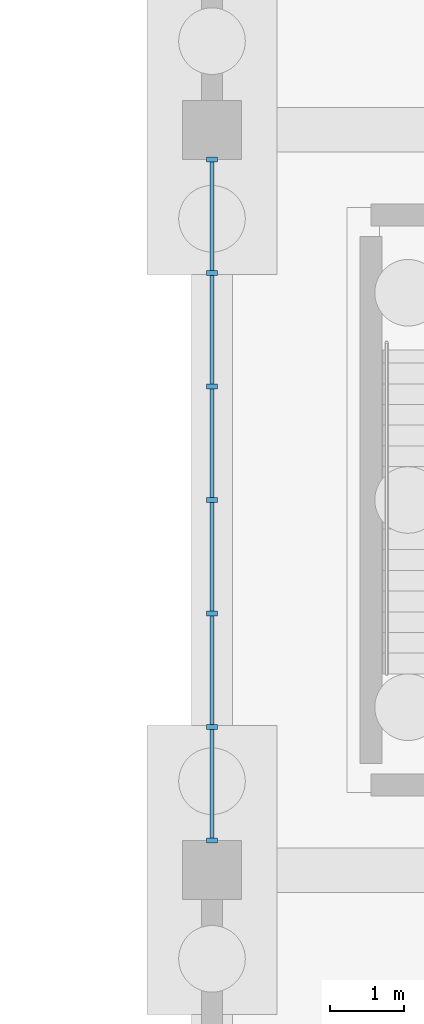
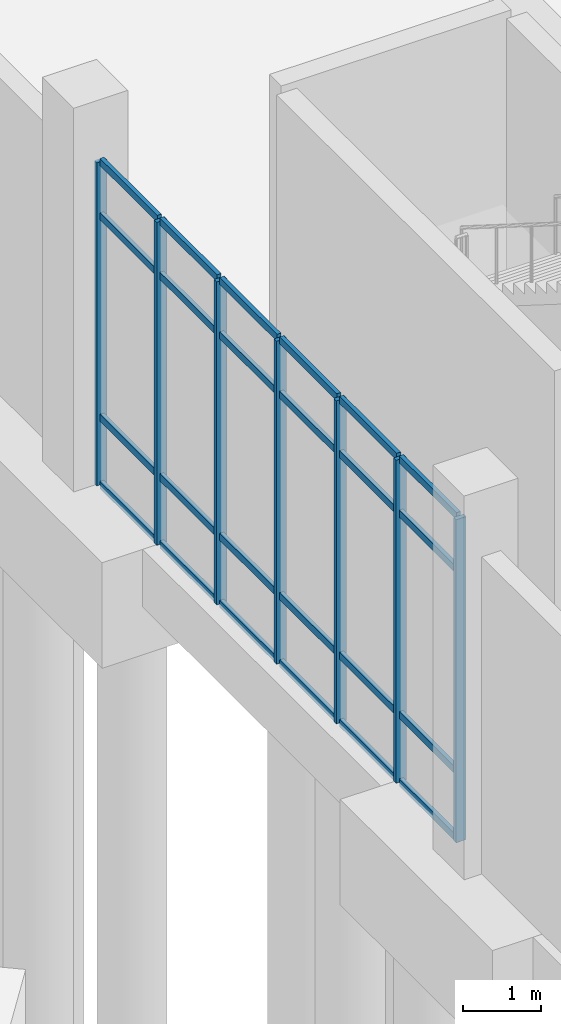
# One storey, part 51 of 140: 31 members, 1 element without a shape of its own.
"""IFC4 building model written with IfcOpenShell, lengths in metres."""

import ifcopenshell
import ifcopenshell.guid

model = None  # the IFC model being written
_history = None  # IfcOwnerHistory: only IFC2X3 demands one
_inside = {}  # id of a spatial element -> (the spatial element, [elements in it])
_under = {}  # id of a project, library or spatial element -> (it, [spatial elements below it])
_declared = {}  # id of a project -> (the project, [libraries it declares])
_typed = {}  # id of a type object -> (the type object, [elements of that type])
_made_of = {}  # id of a material, layer set ... -> (it, [elements and type objects made of it])


def new_model(schema):
    """Start an empty IFC model of exactly this schema.

    Asked for "IFC4X3", IfcOpenShell would pick the latest addendum, in which some entities
    have other attributes; the version numbers below select the first issue.
    IFC2X3 requires an IfcOwnerHistory on every rooted entity: one is made here for all.
    """
    global model, _history
    if schema == "IFC4X3":
        model = ifcopenshell.file(schema_version=(4, 3, 0, 0))
    else:
        model = ifcopenshell.file(schema=schema)
    _inside.clear()
    _under.clear()
    _declared.clear()
    _typed.clear()
    _made_of.clear()
    _history = None
    if model.schema == "IFC2X3":
        org = make("IfcOrganization", Name="unknown")
        user = make(
            "IfcPersonAndOrganization",
            ThePerson=make("IfcPerson", FamilyName="unknown"),
            TheOrganization=org,
        )
        app = make(
            "IfcApplication",
            ApplicationDeveloper=org,
            Version="unknown",
            ApplicationFullName="unknown",
            ApplicationIdentifier="unknown",
        )
        _history = make(
            "IfcOwnerHistory",
            OwningUser=user,
            OwningApplication=app,
            ChangeAction="ADDED",
            CreationDate=0,
        )
    return model


def make(cls, **values):
    """One entity of the class cls with the attributes given. An attribute that is None is left unset."""
    return model.create_entity(
        cls, **{name: value for name, value in values.items() if value is not None}
    )


def rooted(cls, **values):
    """An entity with a GlobalId (a new one), such as an element, a storey or a relation."""
    return make(cls, GlobalId=ifcopenshell.guid.new(), OwnerHistory=_history, **values)


def si_unit(unit_type, name, prefix=None):
    """IfcSIUnit, for example si_unit("LENGTHUNIT", "METRE", prefix="MILLI")."""
    return make("IfcSIUnit", UnitType=unit_type, Prefix=prefix, Name=name)


def assignment(units):
    """IfcUnitAssignment: the units of a project."""
    return None if units is None else make("IfcUnitAssignment", Units=units)


def point(xyz):
    """IfcCartesianPoint."""
    return None if xyz is None else make("IfcCartesianPoint", Coordinates=xyz)


def direction(xyz):
    """IfcDirection."""
    return None if xyz is None else make("IfcDirection", DirectionRatios=xyz)


def frame(location, z_axis=None, x_axis=None):
    """IfcAxis2Placement3D, a coordinate frame: its origin and axes. An axis left out is left unset."""
    return make(
        "IfcAxis2Placement3D",
        Location=point(location),
        Axis=direction(z_axis),
        RefDirection=direction(x_axis),
    )


def frame_2d(location, x_axis=None):
    """IfcAxis2Placement2D, a coordinate frame in the plane: its origin and x axis."""
    return make(
        "IfcAxis2Placement2D", Location=point(location), RefDirection=direction(x_axis)
    )


def origin():
    """The frame at (0, 0, 0) with its axes left unset."""
    return frame((0.0, 0.0, 0.0))


def origin_2d():
    """The frame at (0, 0) in the plane with its x axis left unset."""
    return frame_2d((0.0, 0.0))


def place(relative_to, where):
    """IfcLocalPlacement: puts the frame where relative to a parent placement (None: the world)."""
    return make(
        "IfcLocalPlacement", PlacementRelTo=relative_to, RelativePlacement=where
    )


def context(
    kind, dimensions, precision=None, world=None, true_north=None, identifier=None
):
    """IfcGeometricRepresentationContext, for example the 3D "Model" context."""
    return make(
        "IfcGeometricRepresentationContext",
        ContextIdentifier=identifier,
        ContextType=kind,
        CoordinateSpaceDimension=dimensions,
        Precision=precision,
        WorldCoordinateSystem=world,
        TrueNorth=true_north,
    )


def subcontext(parent, identifier, kind, view, scale=None):
    """IfcGeometricRepresentationSubContext, for example "Body" below "Model"."""
    return make(
        "IfcGeometricRepresentationSubContext",
        ContextIdentifier=identifier,
        ContextType=kind,
        ParentContext=parent,
        TargetScale=scale,
        TargetView=view,
    )


def project(units=None, contexts=None):
    """IfcProject with its units and contexts."""
    return rooted(
        "IfcProject",
        Name="project",
        RepresentationContexts=contexts,
        UnitsInContext=assignment(units),
    )


def spatial(cls, under=None, at=None, **own):
    """A site, building, storey or space (cls), placed at a placement, below another one or the project."""
    s = rooted(cls, ObjectPlacement=at, **own)
    if under is not None:
        _under.setdefault(under.id(), (under, []))[1].append(s)
    return s


def profile(cls, at=None, kind="AREA", **sizes):
    """A parametric profile (cls). Its sizes go by their IFC names, for example OverallWidth=200.0."""
    return make(cls, ProfileType=kind, Position=at, **sizes)


def rectangle(**sizes):
    """IfcRectangleProfileDef."""
    return profile("IfcRectangleProfileDef", **sizes)


def extrude(swept, where, along, depth):
    """IfcExtrudedAreaSolid: the profile swept, set in the frame where, extruded along a direction by depth."""
    return make(
        "IfcExtrudedAreaSolid",
        SweptArea=swept,
        Position=where,
        ExtrudedDirection=direction(along),
        Depth=depth,
    )


def shape(context_of_items, identifier, shape_type, items):
    """IfcShapeRepresentation: the items that make up one representation, for example the "Body"."""
    return make(
        "IfcShapeRepresentation",
        ContextOfItems=context_of_items,
        RepresentationIdentifier=identifier,
        RepresentationType=shape_type,
        Items=items,
    )


def material(Name=None, Category=None):
    """IfcMaterial."""
    return make("IfcMaterial", Name=Name, Category=Category)


def layer(
    of_material, thickness, ventilated=None, Name=None, Category=None, Priority=None
):
    """IfcMaterialLayer: one layer of a wall or slab, of a material (None: an air gap)."""
    return make(
        "IfcMaterialLayer",
        Material=of_material,
        LayerThickness=thickness,
        IsVentilated=ventilated,
        Name=Name,
        Category=Category,
        Priority=Priority,
    )


def layer_set(layers, Name=None):
    """IfcMaterialLayerSet."""
    return make("IfcMaterialLayerSet", MaterialLayers=layers, LayerSetName=Name)


def material_profile(
    of_material, cross_section, Name=None, Category=None, Priority=None
):
    """IfcMaterialProfile: a cross section and its material."""
    return make(
        "IfcMaterialProfile",
        Name=Name,
        Material=of_material,
        Profile=cross_section,
        Priority=Priority,
        Category=Category,
    )


def profile_set(profiles, Name=None, composite=None):
    """IfcMaterialProfileSet."""
    return make(
        "IfcMaterialProfileSet",
        Name=Name,
        MaterialProfiles=profiles,
        CompositeProfile=composite,
    )


def made_of(thing, what):
    """Note that an element or type object is made of a material, layer set ...; save() writes the relation."""
    if what is not None:
        _made_of.setdefault(what.id(), (what, []))[1].append(thing)
    return thing


def type_object(cls, material=None, **own):
    """A type object (cls), such as IfcWallType, which elements share."""
    return made_of(rooted(cls, **own), material)


def element(
    cls,
    number,
    at=None,
    inside=None,
    cuts=None,
    type_object=None,
    material=None,
    context=None,
    identifier="Body",
    shape_type=None,
    held_by="IfcProductDefinitionShape",
    body=None,
    shapes=None,
    **own,
):
    """One element of the class cls, such as IfcWall. Its Tag is "e" and its number.

    at: its placement. inside: the storey or other place that contains it. cuts: it is an
    opening in that element (IfcRelVoidsElement). A single representation is given by context,
    identifier, shape_type and body (its items); several are given by shapes. held_by: the class
    of the entity that holds the representations. save() writes the other relations.
    """
    e = rooted(cls, Tag="e%d" % number, ObjectPlacement=at, **own)
    if body is not None:
        shapes = [shape(context, identifier, shape_type, body)]
    if shapes is not None:
        e.Representation = make(held_by, Representations=shapes)
    if inside is not None:
        _inside.setdefault(inside.id(), (inside, []))[1].append(e)
    if cuts is not None:
        rooted(
            "IfcRelVoidsElement", RelatingBuildingElement=cuts, RelatedOpeningElement=e
        )
    if type_object is not None:
        _typed.setdefault(type_object.id(), (type_object, []))[1].append(e)
    return made_of(e, material)


def aggregate(whole, parts):
    """IfcRelAggregates: a whole, such as a stair, and the parts it consists of."""
    return rooted("IfcRelAggregates", RelatingObject=whole, RelatedObjects=parts)


def save(model, path):
    """Write the relations noted so far, then the file.

    IfcRelAggregates (storeys below a building ...), IfcRelContainedInSpatialStructure (elements
    in a storey), IfcRelDefinesByType, IfcRelAssociatesMaterial and IfcRelDeclares: one each for
    every whole, place, type object, material and project.
    """
    for whole, parts in _under.values():
        aggregate(whole, parts)
    for where, things in _inside.values():
        rooted(
            "IfcRelContainedInSpatialStructure",
            RelatedElements=things,
            RelatingStructure=where,
        )
    for kind, things in _typed.values():
        rooted("IfcRelDefinesByType", RelatedObjects=things, RelatingType=kind)
    for what, things in _made_of.values():
        rooted("IfcRelAssociatesMaterial", RelatedObjects=things, RelatingMaterial=what)
    for by, libraries in _declared.values():
        rooted("IfcRelDeclares", RelatingContext=by, RelatedDefinitions=libraries)
    model.write(path)


model = new_model("IFC4")

# Units and contexts
model_context = context("Model", 3, precision=1e-05, world=origin(), true_north=direction((0.0, 1.0)))
body_context = subcontext(model_context, "Body", "Model", "MODEL_VIEW")
ifc_project = project(units=[si_unit("LENGTHUNIT", "METRE"), si_unit("AREAUNIT", "SQUARE_METRE"), si_unit("VOLUMEUNIT", "CUBIC_METRE"), si_unit("PLANEANGLEUNIT", "RADIAN"), si_unit("MASSUNIT", "GRAM", prefix="KILO")], contexts=[model_context])

# Site, building, storey
site_placement = place(None, origin())
site = spatial("IfcSite", under=ifc_project, at=site_placement, CompositionType="ELEMENT")
building_placement = place(site_placement, origin())
building = spatial("IfcBuilding", under=site, at=building_placement, Name="Corvandel Quay Wholesale Market", CompositionType="ELEMENT")
storey_placement = place(building_placement, origin())
storey = spatial("IfcBuildingStorey", under=building, at=storey_placement, Name="L00", CompositionType="ELEMENT", Elevation=0.0)

# Curtain wall, members
ifc_material_1 = material(Name="Bronze anodised aluminium and low-E insulated glazing", Category="aluminium")
ifc_layer = layer(ifc_material_1, 0.162109375)
ifc_layer_set = layer_set([ifc_layer], Name="Bronze anodised aluminium and low-E insulated glazing")
curtain_wall_type = type_object("IfcCurtainWallType", Name="Stick Curtain Wall System CW26 H5340", PredefinedType="NOTDEFINED", material=ifc_layer_set)
curtain_wall_placement = place(storey_placement, origin())
curtain_wall = element("IfcCurtainWall", 1, at=curtain_wall_placement, inside=storey, type_object=curtain_wall_type, Name="Curtain Wall CW-0146", PredefinedType="NOTDEFINED")
ifc_material_2 = material(Name="Anodised aluminium 6063-T6", Category="aluminium")
ifc_material_profile_1 = material_profile(ifc_material_2, rectangle(XDim=0.06494140625, YDim=0.14990234375, at=origin_2d()), Name="ALU-MUL-65x150")
ifc_profile_set_1 = profile_set([ifc_material_profile_1], Name="Anodised aluminium 6063-T6")
member_type_1 = type_object("IfcMemberType", Name="Curtain Wall Mullion ML02 65x150", PredefinedType="MULLION", material=ifc_profile_set_1)
member_1_placement = place(storey_placement, frame((220.0, 80.39990234375, 0.0), z_axis=(0.0, 0.0, 1.0), x_axis=(0.0, 1.0, 0.0)))
member_1 = element("IfcMember", 2, at=member_1_placement, type_object=member_type_1, Name="Mullion CW-0146-M00", PredefinedType="MULLION", context=body_context, shape_type="SweptSolid", body=[
    extrude(rectangle(XDim=0.06494140625, YDim=0.14990234375, at=origin_2d()), origin(), (0.0, 0.0, 1.0), 5.050048828125),
])
member_2_placement = place(storey_placement, frame((220.0, 81.933349609375, 0.0), z_axis=(0.0, 0.0, 1.0), x_axis=(0.0, 1.0, 0.0)))
member_2 = element("IfcMember", 3, at=member_2_placement, type_object=member_type_1, Name="Mullion CW-0146-M01", PredefinedType="MULLION", context=body_context, shape_type="SweptSolid", body=[
    extrude(rectangle(XDim=0.06494140625, YDim=0.14990234375, at=origin_2d()), origin(), (0.0, 0.0, 1.0), 5.050048828125),
])
member_3_placement = place(storey_placement, frame((220.0, 83.466796875, 0.0), z_axis=(0.0, 0.0, 1.0), x_axis=(0.0, 1.0, 0.0)))
member_3 = element("IfcMember", 4, at=member_3_placement, type_object=member_type_1, Name="Mullion CW-0146-M02", PredefinedType="MULLION", context=body_context, shape_type="SweptSolid", body=[
    extrude(rectangle(XDim=0.06494140625, YDim=0.14990234375, at=origin_2d()), origin(), (0.0, 0.0, 1.0), 5.050048828125),
])
member_4_placement = place(storey_placement, frame((220.0, 85.0, 0.0), z_axis=(0.0, 0.0, 1.0), x_axis=(0.0, 1.0, 0.0)))
member_4 = element("IfcMember", 5, at=member_4_placement, type_object=member_type_1, Name="Mullion CW-0146-M03", PredefinedType="MULLION", context=body_context, shape_type="SweptSolid", body=[
    extrude(rectangle(XDim=0.06494140625, YDim=0.14990234375, at=origin_2d()), origin(), (0.0, 0.0, 1.0), 5.050048828125),
])
member_5_placement = place(storey_placement, frame((220.0, 86.533203125, 0.0), z_axis=(0.0, 0.0, 1.0), x_axis=(0.0, 1.0, 0.0)))
member_5 = element("IfcMember", 6, at=member_5_placement, type_object=member_type_1, Name="Mullion CW-0146-M04", PredefinedType="MULLION", context=body_context, shape_type="SweptSolid", body=[
    extrude(rectangle(XDim=0.06494140625, YDim=0.14990234375, at=origin_2d()), origin(), (0.0, 0.0, 1.0), 5.050048828125),
])
member_6_placement = place(storey_placement, frame((220.0, 88.066650390625, 0.0), z_axis=(0.0, 0.0, 1.0), x_axis=(0.0, 1.0, 0.0)))
member_6 = element("IfcMember", 7, at=member_6_placement, type_object=member_type_1, Name="Mullion CW-0146-M05", PredefinedType="MULLION", context=body_context, shape_type="SweptSolid", body=[
    extrude(rectangle(XDim=0.06494140625, YDim=0.14990234375, at=origin_2d()), origin(), (0.0, 0.0, 1.0), 5.050048828125),
])
member_7_placement = place(storey_placement, frame((220.0, 89.60009765625, 0.0), z_axis=(0.0, 0.0, 1.0), x_axis=(0.0, 1.0, 0.0)))
member_7 = element("IfcMember", 8, at=member_7_placement, type_object=member_type_1, Name="Mullion CW-0146-M06", PredefinedType="MULLION", context=body_context, shape_type="SweptSolid", body=[
    extrude(rectangle(XDim=0.06494140625, YDim=0.14990234375, at=origin_2d()), origin(), (0.0, 0.0, 1.0), 5.050048828125),
])
ifc_material_profile_2 = material_profile(ifc_material_2, rectangle(XDim=0.06005859375, YDim=0.110107421875, at=origin_2d()), Name="ALU-TRN-60x110")
ifc_profile_set_2 = profile_set([ifc_material_profile_2], Name="Anodised aluminium 6063-T6")
member_type_2 = type_object("IfcMemberType", Name="Curtain Wall Transom TR02 60x110", PredefinedType="USERDEFINED", material=ifc_profile_set_2)
member_8_placement = place(storey_placement, frame((220.0, 80.4326171875, 0.0), z_axis=(0.0, 1.0, 0.0), x_axis=(-1.0, 0.0, 0.0)))
member_8 = element("IfcMember", 9, at=member_8_placement, type_object=member_type_2, Name="Transom CW-0146-T00-0", ObjectType="TRANSOM", PredefinedType="USERDEFINED", context=body_context, shape_type="SweptSolid", body=[
    extrude(rectangle(XDim=0.06005859375, YDim=0.110107421875, at=origin_2d()), origin(), (0.0, 0.0, 1.0), 1.46826171875),
])
member_9_placement = place(storey_placement, frame((220.0, 80.4326171875, 1.050048828125), z_axis=(0.0, 1.0, 0.0), x_axis=(-1.0, 0.0, 0.0)))
member_9 = element("IfcMember", 10, at=member_9_placement, type_object=member_type_2, Name="Transom CW-0146-T00-1", ObjectType="TRANSOM", PredefinedType="USERDEFINED", context=body_context, shape_type="SweptSolid", body=[
    extrude(rectangle(XDim=0.06005859375, YDim=0.110107421875, at=origin_2d()), origin(), (0.0, 0.0, 1.0), 1.46826171875),
])
member_10_placement = place(storey_placement, frame((220.0, 80.4326171875, 4.199951171875), z_axis=(0.0, 1.0, 0.0), x_axis=(-1.0, 0.0, 0.0)))
member_10 = element("IfcMember", 11, at=member_10_placement, type_object=member_type_2, Name="Transom CW-0146-T00-2", ObjectType="TRANSOM", PredefinedType="USERDEFINED", context=body_context, shape_type="SweptSolid", body=[
    extrude(rectangle(XDim=0.06005859375, YDim=0.110107421875, at=origin_2d()), origin(), (0.0, 0.0, 1.0), 1.46826171875),
])
member_11_placement = place(storey_placement, frame((220.0, 80.4326171875, 5.050048828125), z_axis=(0.0, 1.0, 0.0), x_axis=(-1.0, 0.0, 0.0)))
member_11 = element("IfcMember", 12, at=member_11_placement, type_object=member_type_2, Name="Transom CW-0146-T00-3", ObjectType="TRANSOM", PredefinedType="USERDEFINED", context=body_context, shape_type="SweptSolid", body=[
    extrude(rectangle(XDim=0.06005859375, YDim=0.110107421875, at=origin_2d()), origin(), (0.0, 0.0, 1.0), 1.46826171875),
])
member_12_placement = place(storey_placement, frame((220.0, 81.9658203125, 0.0), z_axis=(0.0, 1.0, 0.0), x_axis=(-1.0, 0.0, 0.0)))
member_12 = element("IfcMember", 13, at=member_12_placement, type_object=member_type_2, Name="Transom CW-0146-T01-0", ObjectType="TRANSOM", PredefinedType="USERDEFINED", context=body_context, shape_type="SweptSolid", body=[
    extrude(rectangle(XDim=0.06005859375, YDim=0.110107421875, at=origin_2d()), origin(), (0.0, 0.0, 1.0), 1.46826171875),
])
member_13_placement = place(storey_placement, frame((220.0, 81.9658203125, 1.050048828125), z_axis=(0.0, 1.0, 0.0), x_axis=(-1.0, 0.0, 0.0)))
member_13 = element("IfcMember", 14, at=member_13_placement, type_object=member_type_2, Name="Transom CW-0146-T01-1", ObjectType="TRANSOM", PredefinedType="USERDEFINED", context=body_context, shape_type="SweptSolid", body=[
    extrude(rectangle(XDim=0.06005859375, YDim=0.110107421875, at=origin_2d()), origin(), (0.0, 0.0, 1.0), 1.46826171875),
])
member_14_placement = place(storey_placement, frame((220.0, 81.9658203125, 4.199951171875), z_axis=(0.0, 1.0, 0.0), x_axis=(-1.0, 0.0, 0.0)))
member_14 = element("IfcMember", 15, at=member_14_placement, type_object=member_type_2, Name="Transom CW-0146-T01-2", ObjectType="TRANSOM", PredefinedType="USERDEFINED", context=body_context, shape_type="SweptSolid", body=[
    extrude(rectangle(XDim=0.06005859375, YDim=0.110107421875, at=origin_2d()), origin(), (0.0, 0.0, 1.0), 1.46826171875),
])
member_15_placement = place(storey_placement, frame((220.0, 81.9658203125, 5.050048828125), z_axis=(0.0, 1.0, 0.0), x_axis=(-1.0, 0.0, 0.0)))
member_15 = element("IfcMember", 16, at=member_15_placement, type_object=member_type_2, Name="Transom CW-0146-T01-3", ObjectType="TRANSOM", PredefinedType="USERDEFINED", context=body_context, shape_type="SweptSolid", body=[
    extrude(rectangle(XDim=0.06005859375, YDim=0.110107421875, at=origin_2d()), origin(), (0.0, 0.0, 1.0), 1.46826171875),
])
member_16_placement = place(storey_placement, frame((220.0, 83.499267578125, 0.0), z_axis=(0.0, 1.0, 0.0), x_axis=(-1.0, 0.0, 0.0)))
member_16 = element("IfcMember", 17, at=member_16_placement, type_object=member_type_2, Name="Transom CW-0146-T02-0", ObjectType="TRANSOM", PredefinedType="USERDEFINED", context=body_context, shape_type="SweptSolid", body=[
    extrude(rectangle(XDim=0.06005859375, YDim=0.110107421875, at=origin_2d()), origin(), (0.0, 0.0, 1.0), 1.46826171875),
])
member_17_placement = place(storey_placement, frame((220.0, 83.499267578125, 1.050048828125), z_axis=(0.0, 1.0, 0.0), x_axis=(-1.0, 0.0, 0.0)))
member_17 = element("IfcMember", 18, at=member_17_placement, type_object=member_type_2, Name="Transom CW-0146-T02-1", ObjectType="TRANSOM", PredefinedType="USERDEFINED", context=body_context, shape_type="SweptSolid", body=[
    extrude(rectangle(XDim=0.06005859375, YDim=0.110107421875, at=origin_2d()), origin(), (0.0, 0.0, 1.0), 1.46826171875),
])
member_18_placement = place(storey_placement, frame((220.0, 83.499267578125, 4.199951171875), z_axis=(0.0, 1.0, 0.0), x_axis=(-1.0, 0.0, 0.0)))
member_18 = element("IfcMember", 19, at=member_18_placement, type_object=member_type_2, Name="Transom CW-0146-T02-2", ObjectType="TRANSOM", PredefinedType="USERDEFINED", context=body_context, shape_type="SweptSolid", body=[
    extrude(rectangle(XDim=0.06005859375, YDim=0.110107421875, at=origin_2d()), origin(), (0.0, 0.0, 1.0), 1.46826171875),
])
member_19_placement = place(storey_placement, frame((220.0, 83.499267578125, 5.050048828125), z_axis=(0.0, 1.0, 0.0), x_axis=(-1.0, 0.0, 0.0)))
member_19 = element("IfcMember", 20, at=member_19_placement, type_object=member_type_2, Name="Transom CW-0146-T02-3", ObjectType="TRANSOM", PredefinedType="USERDEFINED", context=body_context, shape_type="SweptSolid", body=[
    extrude(rectangle(XDim=0.06005859375, YDim=0.110107421875, at=origin_2d()), origin(), (0.0, 0.0, 1.0), 1.46826171875),
])
member_20_placement = place(storey_placement, frame((220.0, 85.032470703125, 0.0), z_axis=(0.0, 1.0, 0.0), x_axis=(-1.0, 0.0, 0.0)))
member_20 = element("IfcMember", 21, at=member_20_placement, type_object=member_type_2, Name="Transom CW-0146-T03-0", ObjectType="TRANSOM", PredefinedType="USERDEFINED", context=body_context, shape_type="SweptSolid", body=[
    extrude(rectangle(XDim=0.06005859375, YDim=0.110107421875, at=origin_2d()), origin(), (0.0, 0.0, 1.0), 1.46826171875),
])
member_21_placement = place(storey_placement, frame((220.0, 85.032470703125, 1.050048828125), z_axis=(0.0, 1.0, 0.0), x_axis=(-1.0, 0.0, 0.0)))
member_21 = element("IfcMember", 22, at=member_21_placement, type_object=member_type_2, Name="Transom CW-0146-T03-1", ObjectType="TRANSOM", PredefinedType="USERDEFINED", context=body_context, shape_type="SweptSolid", body=[
    extrude(rectangle(XDim=0.06005859375, YDim=0.110107421875, at=origin_2d()), origin(), (0.0, 0.0, 1.0), 1.46826171875),
])
member_22_placement = place(storey_placement, frame((220.0, 85.032470703125, 4.199951171875), z_axis=(0.0, 1.0, 0.0), x_axis=(-1.0, 0.0, 0.0)))
member_22 = element("IfcMember", 23, at=member_22_placement, type_object=member_type_2, Name="Transom CW-0146-T03-2", ObjectType="TRANSOM", PredefinedType="USERDEFINED", context=body_context, shape_type="SweptSolid", body=[
    extrude(rectangle(XDim=0.06005859375, YDim=0.110107421875, at=origin_2d()), origin(), (0.0, 0.0, 1.0), 1.46826171875),
])
member_23_placement = place(storey_placement, frame((220.0, 85.032470703125, 5.050048828125), z_axis=(0.0, 1.0, 0.0), x_axis=(-1.0, 0.0, 0.0)))
member_23 = element("IfcMember", 24, at=member_23_placement, type_object=member_type_2, Name="Transom CW-0146-T03-3", ObjectType="TRANSOM", PredefinedType="USERDEFINED", context=body_context, shape_type="SweptSolid", body=[
    extrude(rectangle(XDim=0.06005859375, YDim=0.110107421875, at=origin_2d()), origin(), (0.0, 0.0, 1.0), 1.46826171875),
])
member_24_placement = place(storey_placement, frame((220.0, 86.56591796875, 0.0), z_axis=(0.0, 1.0, 0.0), x_axis=(-1.0, 0.0, 0.0)))
member_24 = element("IfcMember", 25, at=member_24_placement, type_object=member_type_2, Name="Transom CW-0146-T04-0", ObjectType="TRANSOM", PredefinedType="USERDEFINED", context=body_context, shape_type="SweptSolid", body=[
    extrude(rectangle(XDim=0.06005859375, YDim=0.110107421875, at=origin_2d()), origin(), (0.0, 0.0, 1.0), 1.46826171875),
])
member_25_placement = place(storey_placement, frame((220.0, 86.56591796875, 1.050048828125), z_axis=(0.0, 1.0, 0.0), x_axis=(-1.0, 0.0, 0.0)))
member_25 = element("IfcMember", 26, at=member_25_placement, type_object=member_type_2, Name="Transom CW-0146-T04-1", ObjectType="TRANSOM", PredefinedType="USERDEFINED", context=body_context, shape_type="SweptSolid", body=[
    extrude(rectangle(XDim=0.06005859375, YDim=0.110107421875, at=origin_2d()), origin(), (0.0, 0.0, 1.0), 1.46826171875),
])
member_26_placement = place(storey_placement, frame((220.0, 86.56591796875, 4.199951171875), z_axis=(0.0, 1.0, 0.0), x_axis=(-1.0, 0.0, 0.0)))
member_26 = element("IfcMember", 27, at=member_26_placement, type_object=member_type_2, Name="Transom CW-0146-T04-2", ObjectType="TRANSOM", PredefinedType="USERDEFINED", context=body_context, shape_type="SweptSolid", body=[
    extrude(rectangle(XDim=0.06005859375, YDim=0.110107421875, at=origin_2d()), origin(), (0.0, 0.0, 1.0), 1.46826171875),
])
member_27_placement = place(storey_placement, frame((220.0, 86.56591796875, 5.050048828125), z_axis=(0.0, 1.0, 0.0), x_axis=(-1.0, 0.0, 0.0)))
member_27 = element("IfcMember", 28, at=member_27_placement, type_object=member_type_2, Name="Transom CW-0146-T04-3", ObjectType="TRANSOM", PredefinedType="USERDEFINED", context=body_context, shape_type="SweptSolid", body=[
    extrude(rectangle(XDim=0.06005859375, YDim=0.110107421875, at=origin_2d()), origin(), (0.0, 0.0, 1.0), 1.46826171875),
])
member_28_placement = place(storey_placement, frame((220.0, 88.09912109375, 0.0), z_axis=(0.0, 1.0, 0.0), x_axis=(-1.0, 0.0, 0.0)))
member_28 = element("IfcMember", 29, at=member_28_placement, type_object=member_type_2, Name="Transom CW-0146-T05-0", ObjectType="TRANSOM", PredefinedType="USERDEFINED", context=body_context, shape_type="SweptSolid", body=[
    extrude(rectangle(XDim=0.06005859375, YDim=0.110107421875, at=origin_2d()), origin(), (0.0, 0.0, 1.0), 1.46826171875),
])
member_29_placement = place(storey_placement, frame((220.0, 88.09912109375, 1.050048828125), z_axis=(0.0, 1.0, 0.0), x_axis=(-1.0, 0.0, 0.0)))
member_29 = element("IfcMember", 30, at=member_29_placement, type_object=member_type_2, Name="Transom CW-0146-T05-1", ObjectType="TRANSOM", PredefinedType="USERDEFINED", context=body_context, shape_type="SweptSolid", body=[
    extrude(rectangle(XDim=0.06005859375, YDim=0.110107421875, at=origin_2d()), origin(), (0.0, 0.0, 1.0), 1.46826171875),
])
member_30_placement = place(storey_placement, frame((220.0, 88.09912109375, 4.199951171875), z_axis=(0.0, 1.0, 0.0), x_axis=(-1.0, 0.0, 0.0)))
member_30 = element("IfcMember", 31, at=member_30_placement, type_object=member_type_2, Name="Transom CW-0146-T05-2", ObjectType="TRANSOM", PredefinedType="USERDEFINED", context=body_context, shape_type="SweptSolid", body=[
    extrude(rectangle(XDim=0.06005859375, YDim=0.110107421875, at=origin_2d()), origin(), (0.0, 0.0, 1.0), 1.46826171875),
])
member_31_placement = place(storey_placement, frame((220.0, 88.09912109375, 5.050048828125), z_axis=(0.0, 1.0, 0.0), x_axis=(-1.0, 0.0, 0.0)))
member_31 = element("IfcMember", 32, at=member_31_placement, type_object=member_type_2, Name="Transom CW-0146-T05-3", ObjectType="TRANSOM", PredefinedType="USERDEFINED", context=body_context, shape_type="SweptSolid", body=[
    extrude(rectangle(XDim=0.06005859375, YDim=0.110107421875, at=origin_2d()), origin(), (0.0, 0.0, 1.0), 1.46826171875),
])
aggregate(curtain_wall, [member_1, member_2, member_3, member_4, member_5, member_6, member_7, member_8, member_9, member_10, member_11, member_12, member_13, member_14, member_15, member_16, member_17, member_18, member_19, member_20, member_21, member_22, member_23, member_24, member_25, member_26, member_27, member_28, member_29, member_30, member_31])

save(model, "model.ifc")
